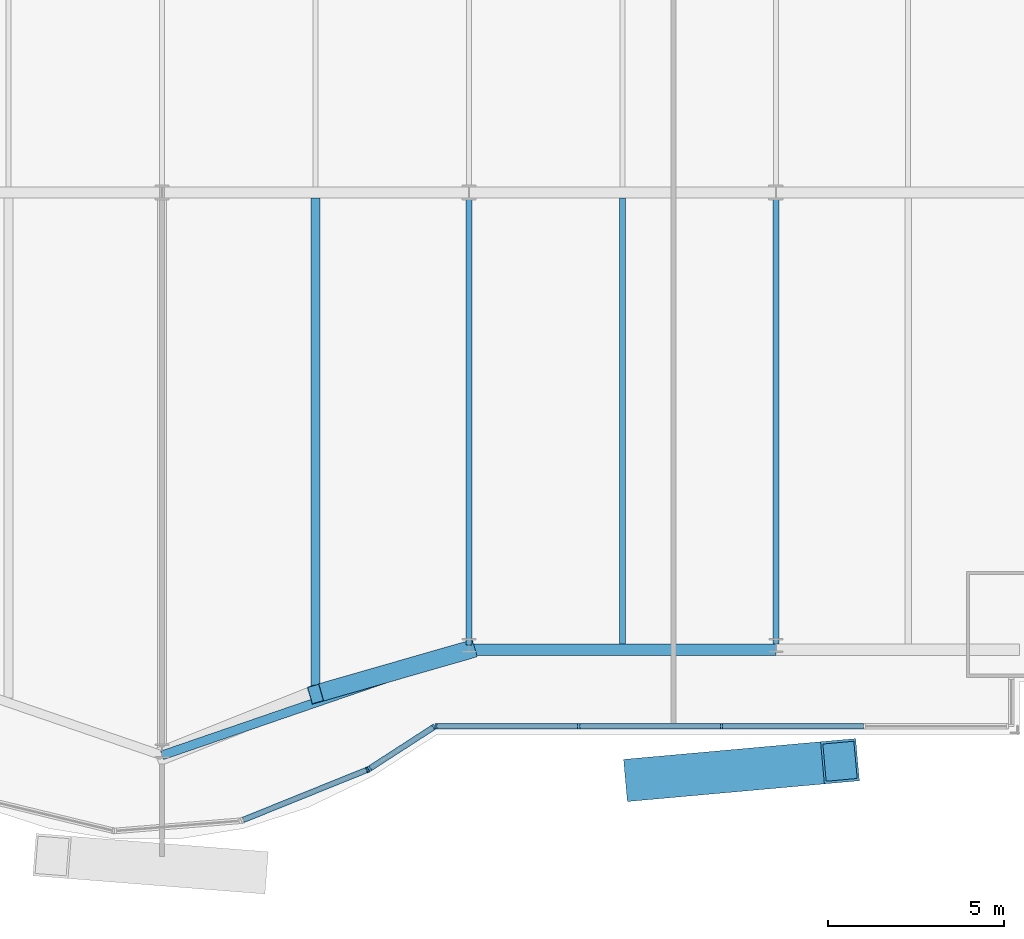
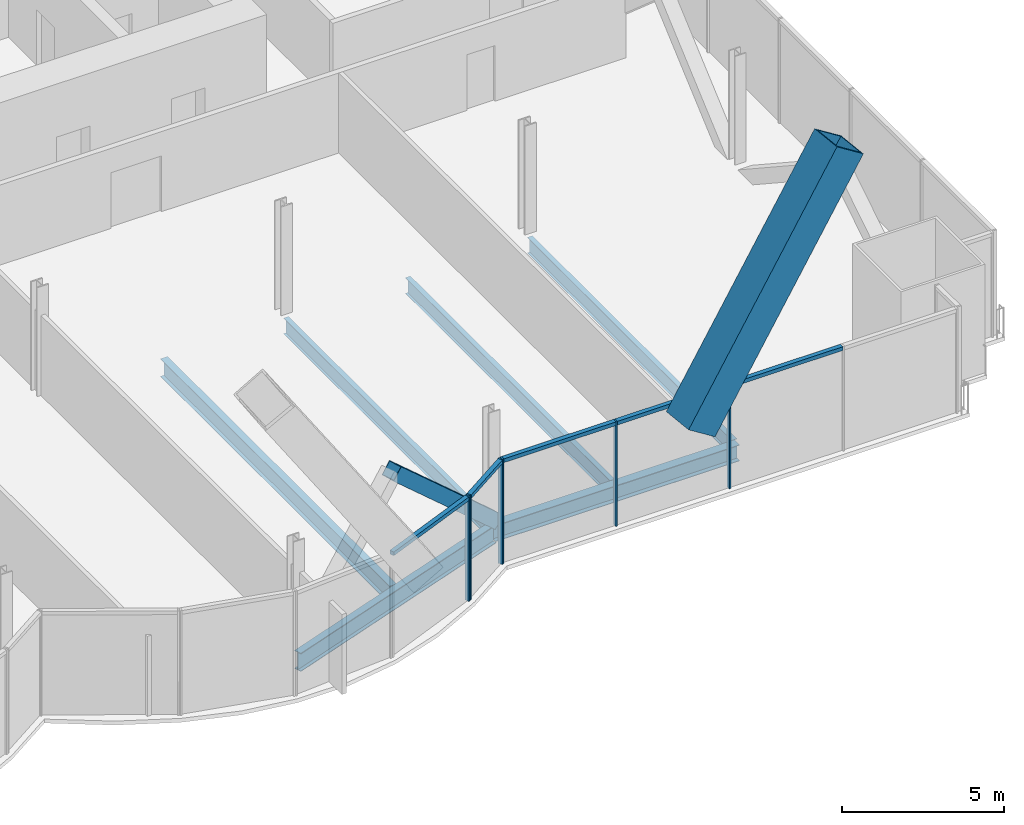
# One storey, part 8 of 21: 13 members, 6 beams, 2 elements without a shape of their own.
"""IFC4 building model written with IfcOpenShell, lengths in metres."""

from ifc_helpers import new_model, si_unit, direction, frame, origin, origin_2d, place, context, subcontext, project, spatial, rectangle, hollow_rectangle, i_section, extrude, material, material_profile, profile_set, type_object, element, aggregate, save


model = new_model("IFC4")

# Units and contexts
model_context = context("Model", 3, precision=1e-05, world=origin(), true_north=direction((0.0, 1.0)))
body_context = subcontext(model_context, "Body", "Model", "MODEL_VIEW")
ifc_project = project(units=[si_unit("LENGTHUNIT", "METRE"), si_unit("AREAUNIT", "SQUARE_METRE"), si_unit("VOLUMEUNIT", "CUBIC_METRE"), si_unit("PLANEANGLEUNIT", "RADIAN"), si_unit("MASSUNIT", "GRAM", prefix="KILO")], contexts=[model_context])

# Site, building, storey
site_placement = place(None, origin())
site = spatial("IfcSite", under=ifc_project, at=site_placement, CompositionType="ELEMENT")
building_placement = place(site_placement, origin())
building = spatial("IfcBuilding", under=site, at=building_placement, Name="Bicima Exchange Tower", CompositionType="ELEMENT")
storey_placement = place(building_placement, frame((0.0, 0.0, 118.60009765625)))
storey = spatial("IfcBuildingStorey", under=building, at=storey_placement, Name="L25", CompositionType="ELEMENT", Elevation=118.60009765625)

# Member
ifc_material_1 = material(Name="Steel ASTM A572 Gr 50", Category="steel")
ifc_material_profile_1 = material_profile(ifc_material_1, hollow_rectangle(XDim=1.199951171875, YDim=1.199951171875, WallThickness=0.070068359375, at=origin_2d()))
ifc_profile_set_1 = profile_set([ifc_material_profile_1], Name="Steel ASTM A572 Gr 50")
member_type_1 = type_object("IfcMemberType", Name="Exo mega brace BOX 1200x1200x70", PredefinedType="BRACE", material=ifc_profile_set_1)
member_1_placement = place(storey_placement, frame((22.333251953125, -38.6220703125, 4.066650390625), z_axis=(0.552134579453, 0.049540015612, 0.832281919199), x_axis=(-0.089365532808, 0.995998896358, 0.0)))
element("IfcMember", 1, at=member_1_placement, inside=storey, type_object=member_type_1, Name="Exo mega brace front", PredefinedType="BRACE", context=body_context, shape_type="SweptSolid", body=[
    extrude(hollow_rectangle(XDim=1.199951171875, YDim=1.199951171875, WallThickness=0.070068359375, at=origin_2d()), origin(), (0.0, 0.0, 1.0), 10.112548828125),
])

# Beams
ifc_material_2 = material(Name="Steel ASTM A992 Gr 50", Category="steel")
ifc_material_profile_2 = material_profile(ifc_material_2, i_section(OverallWidth=0.177978515625, OverallDepth=0.599365234375, WebThickness=0.010009765625, FlangeThickness=0.012939453125, at=origin_2d()))
ifc_profile_set_2 = profile_set([ifc_material_profile_2], Name="Steel ASTM A992 Gr 50")
beam_type_1 = type_object("IfcBeamType", Name="Floor beam W24x55", PredefinedType="JOIST", material=ifc_profile_set_2)
beam_1_placement = place(storey_placement, frame((17.39990234375, -22.16259765625, -0.44970703125), z_axis=(0.0, -1.0, 0.0), x_axis=(1.0, 0.0, 0.0)))
element("IfcBeam", 2, at=beam_1_placement, inside=storey, type_object=beam_type_1, Name="Floor beam", PredefinedType="JOIST", context=body_context, shape_type="SweptSolid", body=[
    extrude(i_section(OverallWidth=0.177978515625, OverallDepth=0.599365234375, WebThickness=0.010009765625, FlangeThickness=0.012939453125, at=origin_2d()), origin(), (0.0, 0.0, 1.0), 12.665771484375),
])
for number, where, z_axis, x_axis, name in (
    (3, (21.75, -22.16259765625, -0.44970703125), (0.0, -1.0, 0.0), (1.0, 0.0, 0.0), "Floor beam"),
    (4, (26.10009765625, -22.16259765625, -0.44970703125), (0.0, -1.0, 0.0), (1.0, 0.0, 0.0), "Floor beam"),
):
    element("IfcBeam", number, at=place(storey_placement, frame(where, z_axis=z_axis, x_axis=x_axis)), inside=storey, type_object=beam_type_1, Name=name, PredefinedType="JOIST", context=body_context, shape_type="SweptSolid", body=[
        extrude(i_section(OverallWidth=0.177978515625, OverallDepth=0.599365234375, WebThickness=0.010009765625, FlangeThickness=0.012939453125, at=origin_2d()), origin(), (0.0, 0.0, 1.0), 12.638916015625),
    ])
ifc_material_profile_3 = material_profile(ifc_material_2, i_section(OverallWidth=0.25390625, OverallDepth=0.67822265625, WebThickness=0.01171875, FlangeThickness=0.016357421875, at=origin_2d()))
ifc_profile_set_3 = profile_set([ifc_material_profile_3], Name="Steel ASTM A992 Gr 50")
beam_type_2 = type_object("IfcBeamType", Name="Floor beam W27x84", PredefinedType="JOIST", material=ifc_profile_set_3)
beam_2_placement = place(storey_placement, frame((13.050048828125, -22.16259765625, -0.4892578125), z_axis=(0.0, -1.0, 0.0), x_axis=(1.0, 0.0, 0.0)))
element("IfcBeam", 5, at=beam_2_placement, inside=storey, type_object=beam_type_2, Name="Floor beam", PredefinedType="JOIST", context=body_context, shape_type="SweptSolid", body=[
    extrude(i_section(OverallWidth=0.25390625, OverallDepth=0.67822265625, WebThickness=0.01171875, FlangeThickness=0.016357421875, at=origin_2d()), origin(), (0.0, 0.0, 1.0), 14.161376953125),
])
ifc_material_profile_4 = material_profile(ifc_material_2, i_section(OverallWidth=0.3251953125, OverallDepth=0.612060546875, WebThickness=0.0126953125, FlangeThickness=0.01904296875, at=origin_2d()))
ifc_profile_set_4 = profile_set([ifc_material_profile_4], Name="Steel ASTM A992 Gr 50")
beam_type_3 = type_object("IfcBeamType", Name="Front girder W24x104", PredefinedType="BEAM", material=ifc_profile_set_4)
beam_3_placement = place(storey_placement, frame((17.39990234375, -34.964111328125, -0.456298828125), z_axis=(1.0, 0.0, 0.0), x_axis=(0.0, 1.0, 0.0)))
element("IfcBeam", 6, at=beam_3_placement, inside=storey, type_object=beam_type_3, Name="Front girder", PredefinedType="BEAM", context=body_context, shape_type="SweptSolid", body=[
    extrude(i_section(OverallWidth=0.3251953125, OverallDepth=0.612060546875, WebThickness=0.0126953125, FlangeThickness=0.01904296875, at=origin_2d()), origin(), (0.0, 0.0, 1.0), 8.7001953125),
])
ifc_material_profile_5 = material_profile(ifc_material_2, i_section(OverallWidth=0.256591796875, OverallDepth=0.693359375, WebThickness=0.014404296875, FlangeThickness=0.023681640625, at=origin_2d()))
ifc_profile_set_5 = profile_set([ifc_material_profile_5], Name="Steel ASTM A992 Gr 50")
beam_type_4 = type_object("IfcBeamType", Name="Front girder W27x114", PredefinedType="BEAM", material=ifc_profile_set_5)
beam_4_placement = place(storey_placement, frame((8.699951171875, -37.955078125, -0.496826171875), z_axis=(0.945674616091, 0.32511462668, 0.0), x_axis=(-0.32511462668, 0.945674616091, 0.0)))
element("IfcBeam", 7, at=beam_4_placement, inside=storey, type_object=beam_type_4, Name="Front girder", PredefinedType="BEAM", context=body_context, shape_type="SweptSolid", body=[
    extrude(i_section(OverallWidth=0.256591796875, OverallDepth=0.693359375, WebThickness=0.014404296875, FlangeThickness=0.023681640625, at=origin_2d()), origin(), (0.0, 0.0, 1.0), 9.19970703125),
])

# Curtain wall, members
ifc_material_3 = material(Name="Anodised bronze aluminium", Category="aluminium")
curtain_wall_type = type_object("IfcCurtainWallType", Name="Front glass wall", PredefinedType="NOTDEFINED", material=ifc_material_3)
curtain_wall_1_placement = place(storey_placement, origin())
curtain_wall_1 = element("IfcCurtainWall", 8, at=curtain_wall_1_placement, inside=storey, type_object=curtain_wall_type, Name="Front glass wall L25 run 11", PredefinedType="NOTDEFINED")
ifc_material_profile_6 = material_profile(ifc_material_3, rectangle(XDim=0.159912109375, YDim=0.06005859375, at=origin_2d()))
ifc_profile_set_6 = profile_set([ifc_material_profile_6], Name="Anodised bronze aluminium")
member_type_2 = type_object("IfcMemberType", Name="Front glass wall mullion 60 x 160", PredefinedType="MULLION", material=ifc_profile_set_6)
member_2_placement = place(storey_placement, frame((14.52587890625, -38.359619140625, 0.0), z_axis=(0.0, 0.0, 1.0), x_axis=(-0.374705304, 0.92714396679, 0.0)))
member_2 = element("IfcMember", 9, at=member_2_placement, type_object=member_type_2, Name="Front glass wall mullion 2", PredefinedType="MULLION", context=body_context, shape_type="SweptSolid", body=[
    extrude(rectangle(XDim=0.159912109375, YDim=0.06005859375, at=origin_2d()), origin(), (0.0, 0.0, 1.0), 3.949951171875),
])
member_3_placement = place(storey_placement, frame((14.578857421875, -38.33203125, 0.0), z_axis=(0.0, 0.0, 1.0), x_axis=(-0.542909183079, 0.839791413941, 0.0)))
member_3 = element("IfcMember", 10, at=member_3_placement, type_object=member_type_2, Name="Front glass wall mullion 1", PredefinedType="MULLION", context=body_context, shape_type="SweptSolid", body=[
    extrude(rectangle(XDim=0.159912109375, YDim=0.06005859375, at=origin_2d()), origin(), (0.0, 0.0, 1.0), 3.949951171875),
])
member_4_placement = place(storey_placement, frame((16.406982421875, -37.150390625, 0.0), z_axis=(0.0, 0.0, 1.0), x_axis=(-0.542909183079, 0.839791413941, 0.0)))
member_4 = element("IfcMember", 11, at=member_4_placement, type_object=member_type_2, Name="Front glass wall mullion 2", PredefinedType="MULLION", context=body_context, shape_type="SweptSolid", body=[
    extrude(rectangle(XDim=0.159912109375, YDim=0.06005859375, at=origin_2d()), origin(), (0.0, 0.0, 1.0), 3.949951171875),
])

curtain_wall_2_placement = place(storey_placement, origin())
curtain_wall_2 = element("IfcCurtainWall", 12, at=curtain_wall_2_placement, inside=storey, type_object=curtain_wall_type, Name="Front glass wall L25 run 16", PredefinedType="NOTDEFINED")
member_5_placement = place(storey_placement, frame((16.462158203125, -37.134033203125, 0.0), z_axis=(0.0, 0.0, 1.0), x_axis=(0.0, 1.0, 0.0)))
member_5 = element("IfcMember", 13, at=member_5_placement, type_object=member_type_2, Name="Front glass wall mullion 1", PredefinedType="MULLION", context=body_context, shape_type="SweptSolid", body=[
    extrude(rectangle(XDim=0.159912109375, YDim=0.06005859375, at=origin_2d()), origin(), (0.0, 0.0, 1.0), 3.949951171875),
])
member_6_placement = place(storey_placement, frame((20.51171875, -37.134033203125, 0.0), z_axis=(0.0, 0.0, 1.0), x_axis=(0.0, 1.0, 0.0)))
member_6 = element("IfcMember", 14, at=member_6_placement, type_object=member_type_2, Name="Front glass wall mullion 2", PredefinedType="MULLION", context=body_context, shape_type="SweptSolid", body=[
    extrude(rectangle(XDim=0.159912109375, YDim=0.06005859375, at=origin_2d()), origin(), (0.0, 0.0, 1.0), 3.949951171875),
])
member_7_placement = place(storey_placement, frame((24.56103515625, -37.134033203125, 0.0), z_axis=(0.0, 0.0, 1.0), x_axis=(0.0, 1.0, 0.0)))
member_7 = element("IfcMember", 15, at=member_7_placement, type_object=member_type_2, Name="Front glass wall mullion 3", PredefinedType="MULLION", context=body_context, shape_type="SweptSolid", body=[
    extrude(rectangle(XDim=0.159912109375, YDim=0.06005859375, at=origin_2d()), origin(), (0.0, 0.0, 1.0), 3.949951171875),
])

# Member
ifc_material_profile_7 = material_profile(ifc_material_3, rectangle(XDim=0.159912109375, YDim=0.139892578125, at=origin_2d()))
ifc_profile_set_7 = profile_set([ifc_material_profile_7], Name="Anodised bronze aluminium")
member_type_3 = type_object("IfcMemberType", Name="Front glass wall transom 140 x 160", PredefinedType="USERDEFINED", material=ifc_profile_set_7)
member_8_placement = place(storey_placement, frame((11.001708984375, -39.783935546875, 3.8798828125), z_axis=(0.927140215882, 0.374714584842, 0.0), x_axis=(-0.374714584842, 0.927140215882, 0.0)))
member_8 = element("IfcMember", 16, at=member_8_placement, type_object=member_type_3, Name="Front glass wall transom 1.1", ObjectType="TRANSOM", PredefinedType="USERDEFINED", context=body_context, shape_type="SweptSolid", body=[
    extrude(rectangle(XDim=0.159912109375, YDim=0.139892578125, at=origin_2d()), origin(), (0.0, 0.0, 1.0), 3.77099609375),
])

member_9_placement = place(storey_placement, frame((14.60400390625, -38.31591796875, 3.8798828125), z_axis=(0.839740302602, 0.542988235771, 0.0), x_axis=(-0.542988235771, 0.839740302602, 0.0)))
member_9 = element("IfcMember", 17, at=member_9_placement, type_object=member_type_3, Name="Front glass wall transom 1.1", ObjectType="TRANSOM", PredefinedType="USERDEFINED", context=body_context, shape_type="SweptSolid", body=[
    extrude(rectangle(XDim=0.159912109375, YDim=0.139892578125, at=origin_2d()), origin(), (0.0, 0.0, 1.0), 2.116943359375),
])

aggregate(curtain_wall_1, [member_2, member_8, member_3, member_4, member_9])

member_10_placement = place(storey_placement, frame((16.4921875, -37.134033203125, 3.8798828125), z_axis=(1.0, 0.0, 0.0), x_axis=(0.0, 1.0, 0.0)))
member_10 = element("IfcMember", 18, at=member_10_placement, type_object=member_type_3, Name="Front glass wall transom 1.1", ObjectType="TRANSOM", PredefinedType="USERDEFINED", context=body_context, shape_type="SweptSolid", body=[
    extrude(rectangle(XDim=0.159912109375, YDim=0.139892578125, at=origin_2d()), origin(), (0.0, 0.0, 1.0), 3.989501953125),
])

member_11_placement = place(storey_placement, frame((20.54150390625, -37.134033203125, 3.8798828125), z_axis=(1.0, 0.0, 0.0), x_axis=(0.0, 1.0, 0.0)))
member_11 = element("IfcMember", 19, at=member_11_placement, type_object=member_type_3, Name="Front glass wall transom 2.1", ObjectType="TRANSOM", PredefinedType="USERDEFINED", context=body_context, shape_type="SweptSolid", body=[
    extrude(rectangle(XDim=0.159912109375, YDim=0.139892578125, at=origin_2d()), origin(), (0.0, 0.0, 1.0), 3.989501953125),
])

member_12_placement = place(storey_placement, frame((24.591064453125, -37.134033203125, 3.8798828125), z_axis=(1.0, 0.0, 0.0), x_axis=(0.0, 1.0, 0.0)))
member_12 = element("IfcMember", 20, at=member_12_placement, type_object=member_type_3, Name="Front glass wall transom 3.1", ObjectType="TRANSOM", PredefinedType="USERDEFINED", context=body_context, shape_type="SweptSolid", body=[
    extrude(rectangle(XDim=0.159912109375, YDim=0.139892578125, at=origin_2d()), origin(), (0.0, 0.0, 1.0), 3.989501953125),
])

aggregate(curtain_wall_2, [member_5, member_6, member_7, member_10, member_11, member_12])

ifc_material_profile_8 = material_profile(ifc_material_1, hollow_rectangle(XDim=0.508056640625, YDim=0.508056640625, WallThickness=0.0146484375, at=origin_2d()))
ifc_profile_set_8 = profile_set([ifc_material_profile_8], Name="Steel ASTM A572 Gr 50")
member_type_4 = type_object("IfcMemberType", Name="Mega brace HSS20x20x5/8", PredefinedType="BRACE", material=ifc_profile_set_8)
member_13_placement = place(storey_placement, frame((17.39990234375, -34.964111328125, 0.0), z_axis=(-0.71226631392, -0.204920981375, 0.671330089783), x_axis=(0.27648739579, -0.961017544049, 0.0)))
element("IfcMember", 21, at=member_13_placement, inside=storey, type_object=member_type_4, Name="Mega brace front", PredefinedType="BRACE", context=body_context, shape_type="SweptSolid", body=[
    extrude(hollow_rectangle(XDim=0.508056640625, YDim=0.508056640625, WallThickness=0.0146484375, at=origin_2d()), origin(), (0.0, 0.0, 1.0), 6.107177734375),
])

save(model, "model.ifc")
